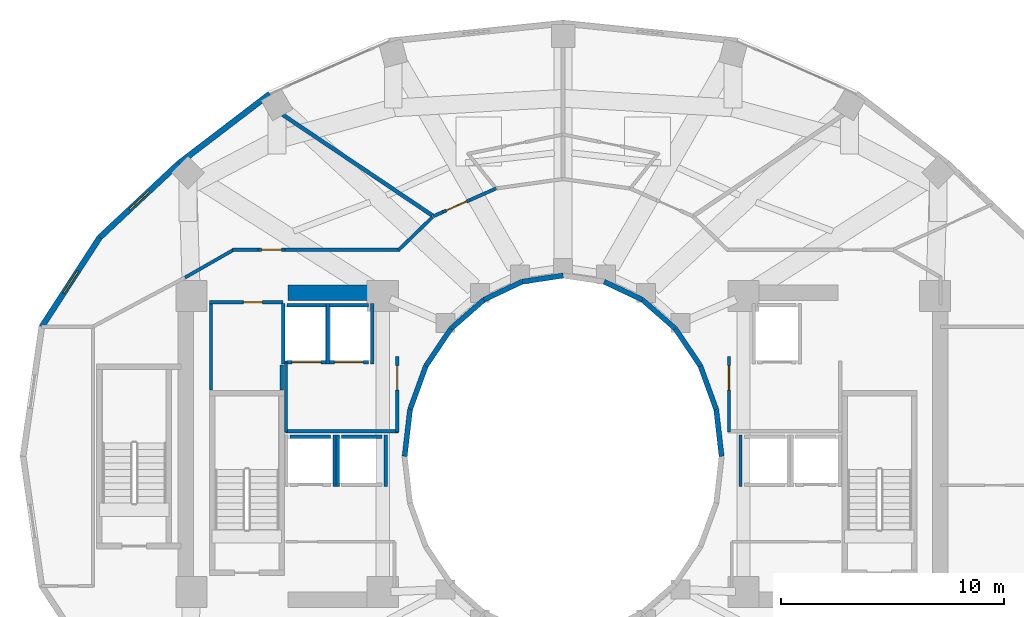
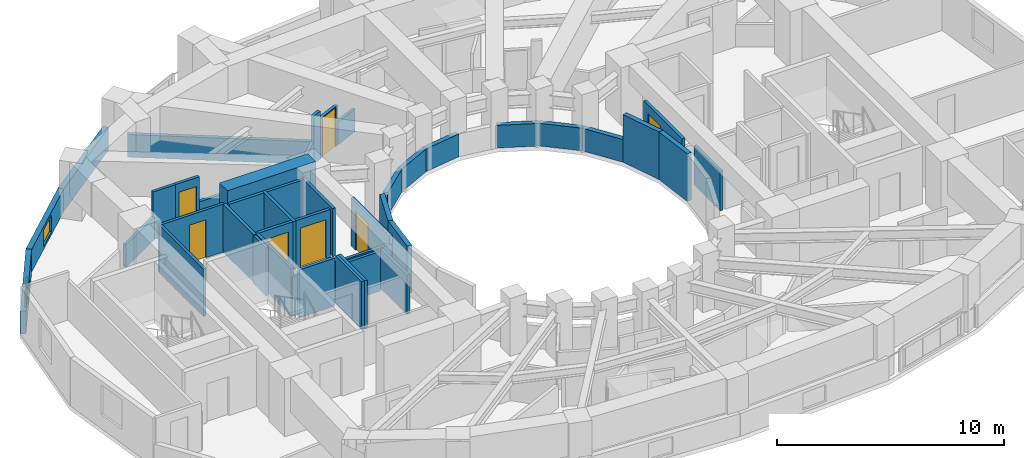
# One storey, part 10 of 16: 44 walls, 7 doors, 2 windows, 9 openings.
"""IFC4 building model written with IfcOpenShell, lengths in metres."""

import ifcopenshell
import ifcopenshell.guid

model = None  # the IFC model being written
_history = None  # IfcOwnerHistory: only IFC2X3 demands one
_inside = {}  # id of a spatial element -> (the spatial element, [elements in it])
_under = {}  # id of a project, library or spatial element -> (it, [spatial elements below it])
_declared = {}  # id of a project -> (the project, [libraries it declares])
_typed = {}  # id of a type object -> (the type object, [elements of that type])
_made_of = {}  # id of a material, layer set ... -> (it, [elements and type objects made of it])


def new_model(schema):
    """Start an empty IFC model of exactly this schema.

    Asked for "IFC4X3", IfcOpenShell would pick the latest addendum, in which some entities
    have other attributes; the version numbers below select the first issue.
    IFC2X3 requires an IfcOwnerHistory on every rooted entity: one is made here for all.
    """
    global model, _history
    if schema == "IFC4X3":
        model = ifcopenshell.file(schema_version=(4, 3, 0, 0))
    else:
        model = ifcopenshell.file(schema=schema)
    _inside.clear()
    _under.clear()
    _declared.clear()
    _typed.clear()
    _made_of.clear()
    _history = None
    if model.schema == "IFC2X3":
        org = make("IfcOrganization", Name="unknown")
        user = make(
            "IfcPersonAndOrganization",
            ThePerson=make("IfcPerson", FamilyName="unknown"),
            TheOrganization=org,
        )
        app = make(
            "IfcApplication",
            ApplicationDeveloper=org,
            Version="unknown",
            ApplicationFullName="unknown",
            ApplicationIdentifier="unknown",
        )
        _history = make(
            "IfcOwnerHistory",
            OwningUser=user,
            OwningApplication=app,
            ChangeAction="ADDED",
            CreationDate=0,
        )
    return model


def make(cls, **values):
    """One entity of the class cls with the attributes given. An attribute that is None is left unset."""
    return model.create_entity(
        cls, **{name: value for name, value in values.items() if value is not None}
    )


def rooted(cls, **values):
    """An entity with a GlobalId (a new one), such as an element, a storey or a relation."""
    return make(cls, GlobalId=ifcopenshell.guid.new(), OwnerHistory=_history, **values)


def si_unit(unit_type, name, prefix=None):
    """IfcSIUnit, for example si_unit("LENGTHUNIT", "METRE", prefix="MILLI")."""
    return make("IfcSIUnit", UnitType=unit_type, Prefix=prefix, Name=name)


def assignment(units):
    """IfcUnitAssignment: the units of a project."""
    return None if units is None else make("IfcUnitAssignment", Units=units)


def point(xyz):
    """IfcCartesianPoint."""
    return None if xyz is None else make("IfcCartesianPoint", Coordinates=xyz)


def direction(xyz):
    """IfcDirection."""
    return None if xyz is None else make("IfcDirection", DirectionRatios=xyz)


def frame(location, z_axis=None, x_axis=None):
    """IfcAxis2Placement3D, a coordinate frame: its origin and axes. An axis left out is left unset."""
    return make(
        "IfcAxis2Placement3D",
        Location=point(location),
        Axis=direction(z_axis),
        RefDirection=direction(x_axis),
    )


def frame_2d(location, x_axis=None):
    """IfcAxis2Placement2D, a coordinate frame in the plane: its origin and x axis."""
    return make(
        "IfcAxis2Placement2D", Location=point(location), RefDirection=direction(x_axis)
    )


def origin():
    """The frame at (0, 0, 0) with its axes left unset."""
    return frame((0.0, 0.0, 0.0))


def place(relative_to, where):
    """IfcLocalPlacement: puts the frame where relative to a parent placement (None: the world)."""
    return make(
        "IfcLocalPlacement", PlacementRelTo=relative_to, RelativePlacement=where
    )


def context(
    kind, dimensions, precision=None, world=None, true_north=None, identifier=None
):
    """IfcGeometricRepresentationContext, for example the 3D "Model" context."""
    return make(
        "IfcGeometricRepresentationContext",
        ContextIdentifier=identifier,
        ContextType=kind,
        CoordinateSpaceDimension=dimensions,
        Precision=precision,
        WorldCoordinateSystem=world,
        TrueNorth=true_north,
    )


def subcontext(parent, identifier, kind, view, scale=None):
    """IfcGeometricRepresentationSubContext, for example "Body" below "Model"."""
    return make(
        "IfcGeometricRepresentationSubContext",
        ContextIdentifier=identifier,
        ContextType=kind,
        ParentContext=parent,
        TargetScale=scale,
        TargetView=view,
    )


def project(units=None, contexts=None):
    """IfcProject with its units and contexts."""
    return rooted(
        "IfcProject",
        Name="project",
        RepresentationContexts=contexts,
        UnitsInContext=assignment(units),
    )


def spatial(cls, under=None, at=None, **own):
    """A site, building, storey or space (cls), placed at a placement, below another one or the project."""
    s = rooted(cls, ObjectPlacement=at, **own)
    if under is not None:
        _under.setdefault(under.id(), (under, []))[1].append(s)
    return s


def profile(cls, at=None, kind="AREA", **sizes):
    """A parametric profile (cls). Its sizes go by their IFC names, for example OverallWidth=200.0."""
    return make(cls, ProfileType=kind, Position=at, **sizes)


def rectangle(**sizes):
    """IfcRectangleProfileDef."""
    return profile("IfcRectangleProfileDef", **sizes)


def extrude(swept, where, along, depth):
    """IfcExtrudedAreaSolid: the profile swept, set in the frame where, extruded along a direction by depth."""
    return make(
        "IfcExtrudedAreaSolid",
        SweptArea=swept,
        Position=where,
        ExtrudedDirection=direction(along),
        Depth=depth,
    )


def shape(context_of_items, identifier, shape_type, items):
    """IfcShapeRepresentation: the items that make up one representation, for example the "Body"."""
    return make(
        "IfcShapeRepresentation",
        ContextOfItems=context_of_items,
        RepresentationIdentifier=identifier,
        RepresentationType=shape_type,
        Items=items,
    )


def material(Name=None, Category=None):
    """IfcMaterial."""
    return make("IfcMaterial", Name=Name, Category=Category)


def layer(
    of_material, thickness, ventilated=None, Name=None, Category=None, Priority=None
):
    """IfcMaterialLayer: one layer of a wall or slab, of a material (None: an air gap)."""
    return make(
        "IfcMaterialLayer",
        Material=of_material,
        LayerThickness=thickness,
        IsVentilated=ventilated,
        Name=Name,
        Category=Category,
        Priority=Priority,
    )


def layer_set(layers, Name=None):
    """IfcMaterialLayerSet."""
    return make("IfcMaterialLayerSet", MaterialLayers=layers, LayerSetName=Name)


def made_of(thing, what):
    """Note that an element or type object is made of a material, layer set ...; save() writes the relation."""
    if what is not None:
        _made_of.setdefault(what.id(), (what, []))[1].append(thing)
    return thing


def type_object(cls, material=None, **own):
    """A type object (cls), such as IfcWallType, which elements share."""
    return made_of(rooted(cls, **own), material)


def element(
    cls,
    number,
    at=None,
    inside=None,
    cuts=None,
    type_object=None,
    material=None,
    context=None,
    identifier="Body",
    shape_type=None,
    held_by="IfcProductDefinitionShape",
    body=None,
    shapes=None,
    **own,
):
    """One element of the class cls, such as IfcWall. Its Tag is "e" and its number.

    at: its placement. inside: the storey or other place that contains it. cuts: it is an
    opening in that element (IfcRelVoidsElement). A single representation is given by context,
    identifier, shape_type and body (its items); several are given by shapes. held_by: the class
    of the entity that holds the representations. save() writes the other relations.
    """
    e = rooted(cls, Tag="e%d" % number, ObjectPlacement=at, **own)
    if body is not None:
        shapes = [shape(context, identifier, shape_type, body)]
    if shapes is not None:
        e.Representation = make(held_by, Representations=shapes)
    if inside is not None:
        _inside.setdefault(inside.id(), (inside, []))[1].append(e)
    if cuts is not None:
        rooted(
            "IfcRelVoidsElement", RelatingBuildingElement=cuts, RelatedOpeningElement=e
        )
    if type_object is not None:
        _typed.setdefault(type_object.id(), (type_object, []))[1].append(e)
    return made_of(e, material)


def fill(opening, filler):
    """IfcRelFillsElement: the door or window that sits in an opening."""
    return rooted(
        "IfcRelFillsElement",
        RelatingOpeningElement=opening,
        RelatedBuildingElement=filler,
    )


def aggregate(whole, parts):
    """IfcRelAggregates: a whole, such as a stair, and the parts it consists of."""
    return rooted("IfcRelAggregates", RelatingObject=whole, RelatedObjects=parts)


def save(model, path):
    """Write the relations noted so far, then the file.

    IfcRelAggregates (storeys below a building ...), IfcRelContainedInSpatialStructure (elements
    in a storey), IfcRelDefinesByType, IfcRelAssociatesMaterial and IfcRelDeclares: one each for
    every whole, place, type object, material and project.
    """
    for whole, parts in _under.values():
        aggregate(whole, parts)
    for where, things in _inside.values():
        rooted(
            "IfcRelContainedInSpatialStructure",
            RelatedElements=things,
            RelatingStructure=where,
        )
    for kind, things in _typed.values():
        rooted("IfcRelDefinesByType", RelatedObjects=things, RelatingType=kind)
    for what, things in _made_of.values():
        rooted("IfcRelAssociatesMaterial", RelatedObjects=things, RelatingMaterial=what)
    for by, libraries in _declared.values():
        rooted("IfcRelDeclares", RelatingContext=by, RelatedDefinitions=libraries)
    model.write(path)


model = new_model("IFC4")

# Units and contexts
model_context = context("Model", 3, precision=1e-05, world=origin(), true_north=direction((0.0, 1.0)))
body_context = subcontext(model_context, "Body", "Model", "MODEL_VIEW")
ifc_project = project(units=[si_unit("LENGTHUNIT", "METRE"), si_unit("AREAUNIT", "SQUARE_METRE"), si_unit("VOLUMEUNIT", "CUBIC_METRE"), si_unit("PLANEANGLEUNIT", "RADIAN"), si_unit("MASSUNIT", "GRAM", prefix="KILO")], contexts=[model_context])

# Site, building, storey
site_placement = place(None, origin())
site = spatial("IfcSite", under=ifc_project, at=site_placement, CompositionType="ELEMENT")
building_placement = place(site_placement, origin())
building = spatial("IfcBuilding", under=site, at=building_placement, Name="Solvane Sanctuary Tower", CompositionType="ELEMENT")
storey_placement = place(building_placement, frame((0.0, 0.0, 119.699951171875)))
storey = spatial("IfcBuildingStorey", under=building, at=storey_placement, Name="L36", CompositionType="ELEMENT", Elevation=119.699951171875)

# Walls
ifc_material_1 = material(Name="Concrete C60/75", Category="concrete")
ifc_layer_1 = layer(ifc_material_1, 0.699951171875, Name="Concrete C60/75")
ifc_layer_set_1 = layer_set([ifc_layer_1], Name="Concrete C60/75")
wall_type_1 = type_object("IfcWallType", Name="Wall W-CORE-700", PredefinedType="SHEAR", material=ifc_layer_set_1)
wall_1_placement = place(storey_placement, frame((19.64990234375, 30.35009765625, 0.0), z_axis=(0.0, 0.0, 1.0), x_axis=(1.0, 0.0, 0.0)))
element("IfcWall", 1, at=wall_1_placement, inside=storey, type_object=wall_type_1, Name="L36 Core Shear Wall WC-N", PredefinedType="SHEAR", context=body_context, shape_type="SweptSolid", body=[
    extrude(rectangle(XDim=4.5, YDim=0.699951171875, at=frame_2d((2.25, 0.0))), origin(), (0.0, 0.0, 1.0), 3.10009765625),
])
ifc_material_2 = material(Name="Acoustic Gypsum Partition Board")
ifc_layer_2 = layer(ifc_material_2, 0.14990234375, Name="Acoustic Gypsum Partition Board")
ifc_layer_set_2 = layer_set([ifc_layer_2], Name="Acoustic Gypsum Partition Board")
wall_type_2 = type_object("IfcWallType", Name="Wall W-CORR-150", PredefinedType="PARTITIONING", material=ifc_layer_set_2)
wall_2_placement = place(storey_placement, frame((19.52001953125, 24.1201171875, 0.0), z_axis=(0.0, 0.0, 1.0), x_axis=(1.0, 0.0, 0.0)))
element("IfcWall", 2, at=wall_2_placement, inside=storey, type_object=wall_type_2, Name="L36 West Firefighting Lobby South Wall", PredefinedType="PARTITIONING", context=body_context, shape_type="SweptSolid", body=[
    extrude(rectangle(XDim=5.080078125, YDim=0.14990234375, at=frame_2d((2.5400390625, 0.0))), origin(), (0.0, 0.0, 1.0), 2.1201171875),
])
wall_3_placement = place(storey_placement, frame((19.550048828125, 24.080078125, 0.0), z_axis=(0.0, 0.0, 1.0), x_axis=(0.0, 1.0, 0.0)))
element("IfcWall", 3, at=wall_3_placement, inside=storey, type_object=wall_type_2, Name="L36 West Firefighting Lobby West Wall", PredefinedType="PARTITIONING", context=body_context, shape_type="SweptSolid", body=[
    extrude(rectangle(XDim=3.199951171875, YDim=0.14990234375, at=frame_2d((1.60009765625, 0.0))), origin(), (0.0, 0.0, 1.0), 2.574951171875),
])

# Wall, opening, door
wall_4_placement = place(storey_placement, frame((24.550048828125, 24.080078125, 0.0), z_axis=(0.0, 0.0, 1.0), x_axis=(0.0, 1.0, 0.0)))
wall_4 = element("IfcWall", 4, at=wall_4_placement, inside=storey, type_object=wall_type_2, Name="L36 West Firefighting Lobby East Wall", PredefinedType="PARTITIONING", context=body_context, shape_type="SweptSolid", body=[
    extrude(rectangle(XDim=3.39990234375, YDim=0.14990234375, at=frame_2d((1.699951171875, 0.0))), origin(), (0.0, 0.0, 1.0), 2.574951171875),
])
opening_1_placement = place(wall_4_placement, frame((1.893798828125, 0.0, 0.0)))
opening_1 = element("IfcOpeningElement", 5, at=opening_1_placement, cuts=wall_4, Name="Opening D-L36-04", PredefinedType="OPENING", context=body_context, shape_type="SweptSolid", body=[
    extrude(rectangle(XDim=1.10009765625, YDim=2.10009765625, at=frame_2d((0.550048828125, 1.050048828125))), frame((0.0, 0.0849609375, 0.0), z_axis=(0.0, -1.0, 0.0), x_axis=(1.0, 0.0, 0.0)), (0.0, 0.0, 1.0), 0.169921875),
])
ifc_material_3 = material(Name="Architectural Stainless Steel 316", Category="steel")
door_type_1 = type_object("IfcDoorType", Name="Door D-FFL", OperationType="NOTDEFINED", PredefinedType="DOOR", material=ifc_material_3)
door_1_placement = place(opening_1_placement, origin())
door_1 = element("IfcDoor", 6, at=door_1_placement, inside=storey, type_object=door_type_1, Name="L36 West Firefighting Lobby Fire Door", OperationType="SINGLE_SWING_RIGHT", OverallHeight=2.10009765625, OverallWidth=1.10009765625, PredefinedType="DOOR", context=body_context, shape_type="SweptSolid", body=[
    extrude(rectangle(XDim=1.10009765625, YDim=2.10009765625, at=frame_2d((0.550048828125, 1.050048828125))), frame((0.0, 0.02490234375, 0.0), z_axis=(0.0, -1.0, 0.0), x_axis=(1.0, 0.0, 0.0)), (0.0, 0.0, 1.0), 0.050048828125),
])
fill(opening_1, door_1)

wall_5_placement = place(storey_placement, frame((39.449951171875, 24.080078125, 0.0), z_axis=(0.0, 0.0, 1.0), x_axis=(0.0, 1.0, 0.0)))
wall_5 = element("IfcWall", 7, at=wall_5_placement, inside=storey, type_object=wall_type_2, Name="L36 East Firefighting Lobby West Wall", PredefinedType="PARTITIONING", context=body_context, shape_type="SweptSolid", body=[
    extrude(rectangle(XDim=3.39990234375, YDim=0.14990234375, at=frame_2d((1.699951171875, 0.0))), origin(), (0.0, 0.0, 1.0), 2.574951171875),
])
opening_2_placement = place(wall_5_placement, frame((1.893798828125, 0.0, 0.0)))
opening_2 = element("IfcOpeningElement", 8, at=opening_2_placement, cuts=wall_5, Name="Opening D-L36-05", PredefinedType="OPENING", context=body_context, shape_type="SweptSolid", body=[
    extrude(rectangle(XDim=1.10009765625, YDim=2.10009765625, at=frame_2d((0.550048828125, 1.050048828125))), frame((0.0, 0.0849609375, 0.0), z_axis=(0.0, -1.0, 0.0), x_axis=(1.0, 0.0, 0.0)), (0.0, 0.0, 1.0), 0.169921875),
])
door_2_placement = place(opening_2_placement, origin())
door_2 = element("IfcDoor", 9, at=door_2_placement, inside=storey, type_object=door_type_1, Name="L36 East Firefighting Lobby Fire Door", OperationType="SINGLE_SWING_LEFT", OverallHeight=2.10009765625, OverallWidth=1.10009765625, PredefinedType="DOOR", context=body_context, shape_type="SweptSolid", body=[
    extrude(rectangle(XDim=1.10009765625, YDim=2.10009765625, at=frame_2d((0.550048828125, 1.050048828125))), frame((0.0, 0.02490234375, 0.0), z_axis=(0.0, -1.0, 0.0), x_axis=(1.0, 0.0, 0.0)), (0.0, 0.0, 1.0), 0.050048828125),
])
fill(opening_2, door_2)

# Walls
wall_6_placement = place(storey_placement, frame((26.132568359375, 33.748779296875, 0.0), z_axis=(0.0, 0.0, 1.0), x_axis=(-0.717419568599, -0.696641344302, 0.0)))
element("IfcWall", 10, at=wall_6_placement, inside=storey, type_object=wall_type_2, Name="L36 NW Corner Throat Wall", PredefinedType="PARTITIONING", context=body_context, shape_type="SweptSolid", body=[
    extrude(rectangle(XDim=2.138427734375, YDim=0.14990234375, at=frame_2d((1.0693359375, 0.0))), origin(), (0.0, 0.0, 1.0), 1.219970703125),
])
wall_7_placement = place(storey_placement, frame((17.14990234375, 32.280029296875, 0.0), z_axis=(0.0, 0.0, 1.0), x_axis=(1.0, 0.0, 0.0)))
element("IfcWall", 11, at=wall_7_placement, inside=storey, type_object=wall_type_2, Name="L36 NW Corner Corridor Wall", PredefinedType="PARTITIONING", context=body_context, shape_type="SweptSolid", body=[
    extrude(rectangle(XDim=1.14013671875, YDim=0.14990234375, at=frame_2d((0.570068359375, 0.0))), origin(), (0.0, 0.0, 1.0), 2.574951171875),
])

# Wall, opening, door
wall_8_placement = place(storey_placement, frame((18.2900390625, 32.280029296875, 0.0), z_axis=(0.0, 0.0, 1.0), x_axis=(1.0, 0.0, 0.0)))
wall_8 = element("IfcWall", 12, at=wall_8_placement, inside=storey, type_object=wall_type_2, Name="L36 NW Corner Corridor Wall", PredefinedType="PARTITIONING", context=body_context, shape_type="SweptSolid", body=[
    extrude(rectangle(XDim=1.219970703125, YDim=0.14990234375, at=frame_2d((0.60986328125, 0.0))), origin(), (0.0, 0.0, 1.0), 2.574951171875),
])
opening_3_placement = place(wall_8_placement, frame((0.159912109375, 0.0, 0.0)))
opening_3 = element("IfcOpeningElement", 13, at=opening_3_placement, cuts=wall_8, Name="Opening D-L36-14", PredefinedType="OPENING", context=body_context, shape_type="SweptSolid", body=[
    extrude(rectangle(XDim=0.89990234375, YDim=2.10009765625, at=frame_2d((0.449951171875, 1.050048828125))), frame((0.0, 0.0849609375, 0.0), z_axis=(0.0, -1.0, 0.0), x_axis=(1.0, 0.0, 0.0)), (0.0, 0.0, 1.0), 0.169921875),
])
ifc_material_4 = material(Name="Engineered Tropical Hardwood", Category="wood")
door_type_2 = type_object("IfcDoorType", Name="Door D-WET-900", OperationType="NOTDEFINED", PredefinedType="DOOR", material=ifc_material_4)
door_3_placement = place(opening_3_placement, origin())
door_3 = element("IfcDoor", 14, at=door_3_placement, inside=storey, type_object=door_type_2, Name="L36 NW Corner Salon Door", OperationType="SINGLE_SWING_RIGHT", OverallHeight=2.10009765625, OverallWidth=0.89990234375, PredefinedType="DOOR", context=body_context, shape_type="SweptSolid", body=[
    extrude(rectangle(XDim=0.89990234375, YDim=2.10009765625, at=frame_2d((0.449951171875, 1.050048828125))), frame((0.0, 0.02490234375, 0.0), z_axis=(0.0, -1.0, 0.0), x_axis=(1.0, 0.0, 0.0)), (0.0, 0.0, 1.0), 0.050048828125),
])
fill(opening_3, door_3)

# Walls
wall_9_placement = place(storey_placement, frame((19.510009765625, 32.280029296875, 0.0), z_axis=(0.0, 0.0, 1.0), x_axis=(1.0, 0.0, 0.0)))
element("IfcWall", 15, at=wall_9_placement, inside=storey, type_object=wall_type_2, Name="L36 NW Corner Corridor Wall", PredefinedType="PARTITIONING", context=body_context, shape_type="SweptSolid", body=[
    extrude(rectangle(XDim=5.159912109375, YDim=0.14990234375, at=frame_2d((2.580078125, 0.0))), origin(), (0.0, 0.0, 1.0), 1.219970703125),
])
wall_10_placement = place(storey_placement, frame((17.243408203125, 32.3046875, 0.0), z_axis=(0.0, 0.0, 1.0), x_axis=(-0.867991349648, -0.496579315857, 0.0)))
element("IfcWall", 16, at=wall_10_placement, inside=storey, type_object=wall_type_2, Name="L36 NW Corner Wing Wall", PredefinedType="PARTITIONING", context=body_context, shape_type="SweptSolid", body=[
    extrude(rectangle(XDim=2.56689453125, YDim=0.14990234375, at=frame_2d((1.283447265625, 0.0))), origin(), (0.0, 0.0, 1.0), 1.219970703125),
])
wall_11_placement = place(storey_placement, frame((28.9912109375, 35.03369140625, 0.0), z_axis=(0.0, 0.0, 1.0), x_axis=(-0.914512451665, -0.404557753292, 0.0)))
element("IfcWall", 17, at=wall_11_placement, inside=storey, type_object=wall_type_2, Name="L36 Unit Corridor Wall N2", PredefinedType="PARTITIONING", context=body_context, shape_type="SweptSolid", body=[
    extrude(rectangle(XDim=1.290283203125, YDim=0.14990234375, at=frame_2d((0.64501953125, 0.0))), origin(), (0.0, 0.0, 1.0), 1.219970703125),
])

# Wall, opening, door
wall_12_placement = place(storey_placement, frame((27.811279296875, 34.51171875, 0.0), z_axis=(0.0, 0.0, 1.0), x_axis=(-0.914352324799, -0.404919530444, 0.0)))
wall_12 = element("IfcWall", 18, at=wall_12_placement, inside=storey, type_object=wall_type_2, Name="L36 Unit Corridor Wall N2", PredefinedType="PARTITIONING", context=body_context, shape_type="SweptSolid", body=[
    extrude(rectangle(XDim=1.31982421875, YDim=0.14990234375, at=frame_2d((0.659912109375, 0.0))), origin(), (0.0, 0.0, 1.0), 2.16015625),
])
opening_4_placement = place(wall_12_placement, frame((0.159912109375, 0.0, 0.0)))
opening_4 = element("IfcOpeningElement", 19, at=opening_4_placement, cuts=wall_12, Name="Opening D-L36-23", PredefinedType="OPENING", context=body_context, shape_type="SweptSolid", body=[
    extrude(rectangle(XDim=1.0, YDim=2.10009765625, at=frame_2d((0.5, 1.050048828125))), frame((0.0, 0.0849609375, 0.0), z_axis=(0.0, -1.0, 0.0), x_axis=(1.0, 0.0, 0.0)), (0.0, 0.0, 1.0), 0.169921875),
])
door_type_3 = type_object("IfcDoorType", Name="Door D-UNIT", OperationType="NOTDEFINED", PredefinedType="DOOR", material=ifc_material_4)
door_4_placement = place(opening_4_placement, origin())
door_4 = element("IfcDoor", 20, at=door_4_placement, inside=storey, type_object=door_type_3, Name="L36 Unit Entrance Door N2", OperationType="SINGLE_SWING_LEFT", OverallHeight=2.10009765625, OverallWidth=1.0, PredefinedType="DOOR", context=body_context, shape_type="SweptSolid", body=[
    extrude(rectangle(XDim=1.0, YDim=2.10009765625, at=frame_2d((0.5, 1.050048828125))), frame((0.0, 0.02490234375, 0.0), z_axis=(0.0, -1.0, 0.0), x_axis=(1.0, 0.0, 0.0)), (0.0, 0.0, 1.0), 0.050048828125),
])
fill(opening_4, door_4)

# Walls
wall_13_placement = place(storey_placement, frame((26.6044921875, 33.977294921875, 0.0), z_axis=(0.0, 0.0, 1.0), x_axis=(-0.914564252461, -0.404440636088, 0.0)))
element("IfcWall", 21, at=wall_13_placement, inside=storey, type_object=wall_type_2, Name="L36 Unit Corridor Wall N2", PredefinedType="PARTITIONING", context=body_context, shape_type="SweptSolid", body=[
    extrude(rectangle(XDim=0.48046875, YDim=0.14990234375, at=frame_2d((0.240234375, 0.0))), origin(), (0.0, 0.0, 1.0), 2.574951171875),
])
ifc_material_5 = material(Name="Precast concrete C40/50", Category="concrete")
ifc_layer_3 = layer(ifc_material_5, 0.260009765625, Name="Precast concrete C40/50")
ifc_layer_set_3 = layer_set([ifc_layer_3], Name="Precast concrete C40/50")
wall_type_3 = type_object("IfcWallType", Name="Wall W-EXT-250", PredefinedType="STANDARD", material=ifc_layer_set_3)
wall_14_placement = place(storey_placement, frame((18.82666015625, 39.278076171875, 0.0), z_axis=(0.0, 0.0, 1.0), x_axis=(-0.794809810864, -0.606858603427, 0.0)))
element("IfcWall", 22, at=wall_14_placement, inside=storey, type_object=wall_type_3, Name="L36 Ceramic-Printed Facade Wall 08", PredefinedType="STANDARD", context=body_context, shape_type="SweptSolid", body=[
    extrude(rectangle(XDim=5.149169921875, YDim=0.260009765625, at=frame_2d((2.57470703125, 0.0))), origin(), (0.0, 0.0, 1.0), 1.219970703125),
])

# Wall, opening, window
wall_15_placement = place(storey_placement, frame((14.734130859375, 36.1533203125, 0.0), z_axis=(0.0, 0.0, 1.0), x_axis=(-0.730162452258, -0.68327358599, 0.0)))
wall_15 = element("IfcWall", 23, at=wall_15_placement, inside=storey, type_object=wall_type_3, Name="L36 Ceramic-Printed Facade Wall 09", PredefinedType="STANDARD", context=body_context, shape_type="SweptSolid", body=[
    extrude(rectangle(XDim=4.868408203125, YDim=0.260009765625, at=frame_2d((2.43408203125, 0.0))), origin(), (0.0, 0.0, 1.0), 1.219970703125),
])
opening_5_placement = place(wall_15_placement, frame((1.834228515625, 0.0, 0.14990234375)))
opening_5 = element("IfcOpeningElement", 24, at=opening_5_placement, cuts=wall_15, Name="Opening WN-OPER-1200", PredefinedType="OPENING", context=body_context, shape_type="SweptSolid", body=[
    extrude(rectangle(XDim=1.199951171875, YDim=0.89990234375, at=frame_2d((0.60009765625, 0.449951171875))), frame((0.0, 0.139892578125, 0.0), z_axis=(0.0, -1.0, 0.0), x_axis=(1.0, 0.0, 0.0)), (0.0, 0.0, 1.0), 0.280029296875),
])
ifc_material_6 = material(Name="Dark Ceramic-Fritted Low-E Glass", Category="glass")
window_type = type_object("IfcWindowType", Name="Window WN-OPER-1200", PartitioningType="SINGLE_PANEL", PredefinedType="WINDOW", material=ifc_material_6)
window_1_placement = place(opening_5_placement, origin())
window_1 = element("IfcWindow", 25, at=window_1_placement, inside=storey, type_object=window_type, Name="L36 Operable Facade Window 09", OverallHeight=0.89990234375, OverallWidth=1.199951171875, PartitioningType="SINGLE_PANEL", PredefinedType="WINDOW", context=body_context, shape_type="SweptSolid", body=[
    extrude(rectangle(XDim=1.199951171875, YDim=0.89990234375, at=frame_2d((0.60009765625, 0.449951171875))), frame((0.0, 0.030029296875, 0.0), z_axis=(0.0, -1.0, 0.0), x_axis=(1.0, 0.0, 0.0)), (0.0, 0.0, 1.0), 0.06005859375),
])
fill(opening_5, window_1)

wall_16_placement = place(storey_placement, frame((11.179443359375, 32.826904296875, 0.0), z_axis=(0.0, 0.0, 1.0), x_axis=(-0.544388392991, -0.838833283541, 0.0)))
wall_16 = element("IfcWall", 26, at=wall_16_placement, inside=storey, type_object=wall_type_3, Name="L36 Ceramic-Printed Facade Wall 10", PredefinedType="STANDARD", context=body_context, shape_type="SweptSolid", body=[
    extrude(rectangle(XDim=4.7783203125, YDim=0.260009765625, at=frame_2d((2.38916015625, 0.0))), origin(), (0.0, 0.0, 1.0), 1.219970703125),
])
opening_6_placement = place(wall_16_placement, frame((1.7890625, 0.0, 0.14990234375)))
opening_6 = element("IfcOpeningElement", 27, at=opening_6_placement, cuts=wall_16, Name="Opening WN-OPER-1200", PredefinedType="OPENING", context=body_context, shape_type="SweptSolid", body=[
    extrude(rectangle(XDim=1.199951171875, YDim=0.89990234375, at=frame_2d((0.60009765625, 0.449951171875))), frame((0.0, 0.139892578125, 0.0), z_axis=(0.0, -1.0, 0.0), x_axis=(1.0, 0.0, 0.0)), (0.0, 0.0, 1.0), 0.280029296875),
])
window_2_placement = place(opening_6_placement, origin())
window_2 = element("IfcWindow", 28, at=window_2_placement, inside=storey, type_object=window_type, Name="L36 Operable Facade Window 10", OverallHeight=0.89990234375, OverallWidth=1.199951171875, PartitioningType="SINGLE_PANEL", PredefinedType="WINDOW", context=body_context, shape_type="SweptSolid", body=[
    extrude(rectangle(XDim=1.199951171875, YDim=0.89990234375, at=frame_2d((0.60009765625, 0.449951171875))), frame((0.0, 0.030029296875, 0.0), z_axis=(0.0, -1.0, 0.0), x_axis=(1.0, 0.0, 0.0)), (0.0, 0.0, 1.0), 0.06005859375),
])
fill(opening_6, window_2)

# Walls
ifc_layer_4 = layer(ifc_material_5, 0.22998046875, Name="Precast concrete C40/50")
ifc_layer_set_4 = layer_set([ifc_layer_4], Name="Precast concrete C40/50")
wall_type_4 = type_object("IfcWallType", Name="Wall W-EXT-SP220", PredefinedType="STANDARD", material=ifc_layer_set_4)
wall_17_placement = place(storey_placement, frame((39.1201171875, 23.0, 0.0), z_axis=(0.0, 0.0, 1.0), x_axis=(-0.114711713601, 0.993398823617, 0.0)))
element("IfcWall", 29, at=wall_17_placement, inside=storey, type_object=wall_type_4, Name="L36 Central Light-Well Wall 00", PredefinedType="STANDARD", context=body_context, shape_type="SweptSolid", body=[
    extrude(rectangle(XDim=2.115478515625, YDim=0.22998046875, at=frame_2d((1.0576171875, 0.0))), origin(), (0.0, 0.0, 1.0), 2.56005859375),
])
wall_18_placement = place(storey_placement, frame((38.87744140625, 25.1015625, 0.0), z_axis=(0.0, 0.0, 1.0), x_axis=(-0.341423187295, 0.93990968033, 0.0)))
element("IfcWall", 30, at=wall_18_placement, inside=storey, type_object=wall_type_4, Name="L36 Central Light-Well Wall 01", PredefinedType="STANDARD", context=body_context, shape_type="SweptSolid", body=[
    extrude(rectangle(XDim=2.083740234375, YDim=0.22998046875, at=frame_2d((1.0419921875, 0.0))), origin(), (0.0, 0.0, 1.0), 2.56005859375),
])
wall_19_placement = place(storey_placement, frame((38.166015625, 27.06005859375, 0.0), z_axis=(0.0, 0.0, 1.0), x_axis=(-0.558197800898, 0.829707909492, 0.0)))
element("IfcWall", 31, at=wall_19_placement, inside=storey, type_object=wall_type_4, Name="L36 Central Light-Well Wall 02", PredefinedType="STANDARD", context=body_context, shape_type="SweptSolid", body=[
    extrude(rectangle(XDim=2.02685546875, YDim=0.22998046875, at=frame_2d((1.013427734375, 0.0))), origin(), (0.0, 0.0, 1.0), 1.219970703125),
])
wall_20_placement = place(storey_placement, frame((37.03466796875, 28.74169921875, 0.0), z_axis=(0.0, 0.0, 1.0), x_axis=(-0.752576694707, 0.658504607869, 0.0)))
element("IfcWall", 32, at=wall_20_placement, inside=storey, type_object=wall_type_4, Name="L36 Central Light-Well Wall 03", PredefinedType="STANDARD", context=body_context, shape_type="SweptSolid", body=[
    extrude(rectangle(XDim=1.95947265625, YDim=0.22998046875, at=frame_2d((0.979736328125, 0.0))), origin(), (0.0, 0.0, 1.0), 1.219970703125),
])
wall_21_placement = place(storey_placement, frame((35.56005859375, 30.031982421875, 0.0), z_axis=(0.0, 0.0, 1.0), x_axis=(-0.904179699603, 0.427152280606, 0.0)))
element("IfcWall", 33, at=wall_21_placement, inside=storey, type_object=wall_type_4, Name="L36 Central Light-Well Wall 04", PredefinedType="STANDARD", context=body_context, shape_type="SweptSolid", body=[
    extrude(rectangle(XDim=1.899169921875, YDim=0.22998046875, at=frame_2d((0.94970703125, 0.0))), origin(), (0.0, 0.0, 1.0), 1.219970703125),
])
wall_22_placement = place(storey_placement, frame((32.0, 31.1201171875, 0.0), z_axis=(0.0, 0.0, 1.0), x_axis=(-0.988901730308, -0.148571086668, 0.0)))
element("IfcWall", 34, at=wall_22_placement, inside=storey, type_object=wall_type_4, Name="L36 Central Light-Well Wall 06", PredefinedType="STANDARD", context=body_context, shape_type="SweptSolid", body=[
    extrude(rectangle(XDim=1.863525390625, YDim=0.22998046875, at=frame_2d((0.931640625, 0.0))), origin(), (0.0, 0.0, 1.0), 1.219970703125),
])
wall_23_placement = place(storey_placement, frame((30.1572265625, 30.84326171875, 0.0), z_axis=(0.0, 0.0, 1.0), x_axis=(-0.904179699603, -0.427152280606, 0.0)))
element("IfcWall", 35, at=wall_23_placement, inside=storey, type_object=wall_type_4, Name="L36 Central Light-Well Wall 07", PredefinedType="STANDARD", context=body_context, shape_type="SweptSolid", body=[
    extrude(rectangle(XDim=1.899169921875, YDim=0.22998046875, at=frame_2d((0.94970703125, 0.0))), origin(), (0.0, 0.0, 1.0), 1.219970703125),
])
wall_24_placement = place(storey_placement, frame((28.43994140625, 30.031982421875, 0.0), z_axis=(0.0, 0.0, 1.0), x_axis=(-0.752576694707, -0.658504607869, 0.0)))
element("IfcWall", 36, at=wall_24_placement, inside=storey, type_object=wall_type_4, Name="L36 Central Light-Well Wall 08", PredefinedType="STANDARD", context=body_context, shape_type="SweptSolid", body=[
    extrude(rectangle(XDim=1.95947265625, YDim=0.22998046875, at=frame_2d((0.979736328125, 0.0))), origin(), (0.0, 0.0, 1.0), 1.219970703125),
])
wall_25_placement = place(storey_placement, frame((26.96533203125, 28.74169921875, 0.0), z_axis=(0.0, 0.0, 1.0), x_axis=(-0.558197800898, -0.829707909492, 0.0)))
element("IfcWall", 37, at=wall_25_placement, inside=storey, type_object=wall_type_4, Name="L36 Central Light-Well Wall 09", PredefinedType="STANDARD", context=body_context, shape_type="SweptSolid", body=[
    extrude(rectangle(XDim=2.02685546875, YDim=0.22998046875, at=frame_2d((1.013427734375, 0.0))), origin(), (0.0, 0.0, 1.0), 1.219970703125),
])
wall_26_placement = place(storey_placement, frame((25.833984375, 27.06005859375, 0.0), z_axis=(0.0, 0.0, 1.0), x_axis=(-0.341423187295, -0.93990968033, 0.0)))
element("IfcWall", 38, at=wall_26_placement, inside=storey, type_object=wall_type_4, Name="L36 Central Light-Well Wall 10", PredefinedType="STANDARD", context=body_context, shape_type="SweptSolid", body=[
    extrude(rectangle(XDim=2.083740234375, YDim=0.22998046875, at=frame_2d((1.0419921875, 0.0))), origin(), (0.0, 0.0, 1.0), 2.56005859375),
])
wall_27_placement = place(storey_placement, frame((25.12255859375, 25.1015625, 0.0), z_axis=(0.0, 0.0, 1.0), x_axis=(-0.114711713601, -0.993398823617, 0.0)))
element("IfcWall", 39, at=wall_27_placement, inside=storey, type_object=wall_type_4, Name="L36 Central Light-Well Wall 11", PredefinedType="STANDARD", context=body_context, shape_type="SweptSolid", body=[
    extrude(rectangle(XDim=2.115478515625, YDim=0.22998046875, at=frame_2d((1.0576171875, 0.0))), origin(), (0.0, 0.0, 1.0), 2.56005859375),
])
ifc_material_7 = material(Name="Concrete C50/60", Category="concrete")
ifc_layer_5 = layer(ifc_material_7, 0.14990234375, Name="Concrete C50/60")
ifc_layer_set_5 = layer_set([ifc_layer_5], Name="Concrete C50/60")
wall_type_5 = type_object("IfcWallType", Name="Wall W-SHAFT-150", PredefinedType="SOLIDWALL", material=ifc_layer_set_5)
wall_28_placement = place(storey_placement, frame((19.739990234375, 23.8798828125, 0.0), z_axis=(0.0, 0.0, 1.0), x_axis=(1.0, 0.0, 0.0)))
element("IfcWall", 40, at=wall_28_placement, inside=storey, type_object=wall_type_5, Name="L36 PM-1 Lift Shaft Wall B", PredefinedType="SOLIDWALL", context=body_context, shape_type="SweptSolid", body=[
    extrude(rectangle(XDim=1.820068359375, YDim=0.14990234375, at=frame_2d((0.91015625, 0.0))), origin(), (0.0, 0.0, 1.0), 2.574951171875),
])
wall_29_placement = place(storey_placement, frame((21.72998046875, 21.639892578125, 0.0), z_axis=(0.0, 0.0, 1.0), x_axis=(0.0, 1.0, 0.0)))
element("IfcWall", 41, at=wall_29_placement, inside=storey, type_object=wall_type_5, Name="L36 PM-1 Lift Shaft Wall S2", PredefinedType="SOLIDWALL", context=body_context, shape_type="SweptSolid", body=[
    extrude(rectangle(XDim=2.320068359375, YDim=0.14990234375, at=frame_2d((1.16015625, 0.0))), origin(), (0.0, 0.0, 1.0), 2.574951171875),
])
wall_30_placement = place(storey_placement, frame((22.0400390625, 23.8798828125, 0.0), z_axis=(0.0, 0.0, 1.0), x_axis=(1.0, 0.0, 0.0)))
element("IfcWall", 42, at=wall_30_placement, inside=storey, type_object=wall_type_5, Name="L36 PH-1 Lift Shaft Wall B", PredefinedType="SOLIDWALL", context=body_context, shape_type="SweptSolid", body=[
    extrude(rectangle(XDim=1.820068359375, YDim=0.14990234375, at=frame_2d((0.91015625, 0.0))), origin(), (0.0, 0.0, 1.0), 2.1201171875),
])
wall_31_placement = place(storey_placement, frame((21.8701171875, 21.639892578125, 0.0), z_axis=(0.0, 0.0, 1.0), x_axis=(0.0, 1.0, 0.0)))
element("IfcWall", 43, at=wall_31_placement, inside=storey, type_object=wall_type_5, Name="L36 PH-1 Lift Shaft Wall S1", PredefinedType="SOLIDWALL", context=body_context, shape_type="SweptSolid", body=[
    extrude(rectangle(XDim=2.320068359375, YDim=0.14990234375, at=frame_2d((1.16015625, 0.0))), origin(), (0.0, 0.0, 1.0), 2.574951171875),
])
for number, where, z_axis, x_axis, name in (
    (44, (24.030029296875, 21.639892578125, 0.0), (0.0, 0.0, 1.0), (0.0, 1.0, 0.0), "L36 PH-1 Lift Shaft Wall S2"),
    (45, (39.969970703125, 21.639892578125, 0.0), (0.0, 0.0, 1.0), (0.0, 1.0, 0.0), "L36 PH-2 Lift Shaft Wall S1"),
):
    element("IfcWall", number, at=place(storey_placement, frame(where, z_axis=z_axis, x_axis=x_axis)), inside=storey, type_object=wall_type_5, Name=name, PredefinedType="SOLIDWALL", context=body_context, shape_type="SweptSolid", body=[
        extrude(rectangle(XDim=2.320068359375, YDim=0.14990234375, at=frame_2d((1.16015625, 0.0))), origin(), (0.0, 0.0, 1.0), 2.1201171875),
    ])

# Wall, opening, door
wall_32_placement = place(storey_placement, frame((19.590087890625, 27.219970703125, 0.0), z_axis=(0.0, 0.0, 1.0), x_axis=(1.0, 0.0, 0.0)))
wall_32 = element("IfcWall", 46, at=wall_32_placement, inside=storey, type_object=wall_type_5, Name="L36 FFL-1 Lift Shaft Wall F", PredefinedType="SOLIDWALL", context=body_context, shape_type="SweptSolid", body=[
    extrude(rectangle(XDim=1.760009765625, YDim=0.14990234375, at=frame_2d((0.8798828125, 0.0))), origin(), (0.0, 0.0, 1.0), 2.574951171875),
])
opening_7_placement = place(wall_32_placement, frame((0.22998046875, 0.0, 0.0)))
opening_7 = element("IfcOpeningElement", 47, at=opening_7_placement, cuts=wall_32, Name="Opening LD-L36-03", PredefinedType="OPENING", context=body_context, shape_type="SweptSolid", body=[
    extrude(rectangle(XDim=1.300048828125, YDim=2.10009765625, at=frame_2d((0.64990234375, 1.050048828125))), frame((0.0, 0.0849609375, 0.0), z_axis=(0.0, -1.0, 0.0), x_axis=(1.0, 0.0, 0.0)), (0.0, 0.0, 1.0), 0.169921875),
])
door_type_4 = type_object("IfcDoorType", Name="Door LD-FFL-1300", OperationType="NOTDEFINED", PredefinedType="DOOR", material=ifc_material_3)
door_5_placement = place(opening_7_placement, origin())
door_5 = element("IfcDoor", 48, at=door_5_placement, inside=storey, type_object=door_type_4, Name="L36 FFL-1 Lift Landing Door", OperationType="DOUBLE_DOOR_SLIDING", OverallHeight=2.10009765625, OverallWidth=1.300048828125, PredefinedType="DOOR", context=body_context, shape_type="SweptSolid", body=[
    extrude(rectangle(XDim=1.300048828125, YDim=2.10009765625, at=frame_2d((0.64990234375, 1.050048828125))), frame((0.0, 0.02490234375, 0.0), z_axis=(0.0, -1.0, 0.0), x_axis=(1.0, 0.0, 0.0)), (0.0, 0.0, 1.0), 0.050048828125),
])
fill(opening_7, door_5)

# Walls
wall_33_placement = place(storey_placement, frame((19.590087890625, 29.780029296875, 0.0), z_axis=(0.0, 0.0, 1.0), x_axis=(1.0, 0.0, 0.0)))
element("IfcWall", 49, at=wall_33_placement, inside=storey, type_object=wall_type_5, Name="L36 FFL-1 Lift Shaft Wall B", PredefinedType="SOLIDWALL", context=body_context, shape_type="SweptSolid", body=[
    extrude(rectangle(XDim=1.760009765625, YDim=0.14990234375, at=frame_2d((0.8798828125, 0.0))), origin(), (0.0, 0.0, 1.0), 2.574951171875),
])
for number, where, z_axis, x_axis, name in (
    (50, (19.419921875, 27.139892578125, 0.0), (0.0, 0.0, 1.0), (0.0, 1.0, 0.0), "L36 FFL-1 Lift Shaft Wall S1"),
    (51, (21.425048828125, 27.139892578125, 0.0), (0.0, 0.0, 1.0), (0.0, 1.0, 0.0), "L36 FFL-1 Lift Shaft Wall S2"),
):
    element("IfcWall", number, at=place(storey_placement, frame(where, z_axis=z_axis, x_axis=x_axis)), inside=storey, type_object=wall_type_5, Name=name, PredefinedType="SOLIDWALL", context=body_context, shape_type="SweptSolid", body=[
        extrude(rectangle(XDim=2.72021484375, YDim=0.14990234375, at=frame_2d((1.360107421875, 0.0))), origin(), (0.0, 0.0, 1.0), 2.574951171875),
    ])

# Wall, opening, door
wall_34_placement = place(storey_placement, frame((21.5, 27.219970703125, 0.0), z_axis=(0.0, 0.0, 1.0), x_axis=(1.0, 0.0, 0.0)))
wall_34 = element("IfcWall", 52, at=wall_34_placement, inside=storey, type_object=wall_type_5, Name="L36 SVL-1 Lift Shaft Wall F", PredefinedType="SOLIDWALL", context=body_context, shape_type="SweptSolid", body=[
    extrude(rectangle(XDim=1.760009765625, YDim=0.14990234375, at=frame_2d((0.8798828125, 0.0))), origin(), (0.0, 0.0, 1.0), 2.574951171875),
])
opening_8_placement = place(wall_34_placement, frame((0.22998046875, 0.0, 0.0)))
opening_8 = element("IfcOpeningElement", 53, at=opening_8_placement, cuts=wall_34, Name="Opening LD-L36-04", PredefinedType="OPENING", context=body_context, shape_type="SweptSolid", body=[
    extrude(rectangle(XDim=1.300048828125, YDim=2.10009765625, at=frame_2d((0.64990234375, 1.050048828125))), frame((0.0, 0.0849609375, 0.0), z_axis=(0.0, -1.0, 0.0), x_axis=(1.0, 0.0, 0.0)), (0.0, 0.0, 1.0), 0.169921875),
])
door_6_placement = place(opening_8_placement, origin())
door_6 = element("IfcDoor", 54, at=door_6_placement, inside=storey, type_object=door_type_4, Name="L36 SVL-1 Lift Landing Door", OperationType="DOUBLE_DOOR_SLIDING", OverallHeight=2.10009765625, OverallWidth=1.300048828125, PredefinedType="DOOR", context=body_context, shape_type="SweptSolid", body=[
    extrude(rectangle(XDim=1.300048828125, YDim=2.10009765625, at=frame_2d((0.64990234375, 1.050048828125))), frame((0.0, 0.02490234375, 0.0), z_axis=(0.0, -1.0, 0.0), x_axis=(1.0, 0.0, 0.0)), (0.0, 0.0, 1.0), 0.050048828125),
])
fill(opening_8, door_6)

# Walls
wall_35_placement = place(storey_placement, frame((21.5, 29.780029296875, 0.0), z_axis=(0.0, 0.0, 1.0), x_axis=(1.0, 0.0, 0.0)))
element("IfcWall", 55, at=wall_35_placement, inside=storey, type_object=wall_type_5, Name="L36 SVL-1 Lift Shaft Wall B", PredefinedType="SOLIDWALL", context=body_context, shape_type="SweptSolid", body=[
    extrude(rectangle(XDim=1.760009765625, YDim=0.14990234375, at=frame_2d((0.8798828125, 0.0))), origin(), (0.0, 0.0, 1.0), 2.574951171875),
])
wall_36_placement = place(storey_placement, frame((23.429931640625, 27.139892578125, 0.0), z_axis=(0.0, 0.0, 1.0), x_axis=(0.0, 1.0, 0.0)))
element("IfcWall", 56, at=wall_36_placement, inside=storey, type_object=wall_type_5, Name="L36 SVL-1 Lift Shaft Wall S2", PredefinedType="SOLIDWALL", context=body_context, shape_type="SweptSolid", body=[
    extrude(rectangle(XDim=2.72021484375, YDim=0.14990234375, at=frame_2d((1.360107421875, 0.0))), origin(), (0.0, 0.0, 1.0), 2.574951171875),
])
ifc_layer_6 = layer(ifc_material_2, 0.179931640625, Name="Acoustic Gypsum Partition Board")
ifc_layer_set_6 = layer_set([ifc_layer_6], Name="Acoustic Gypsum Partition Board")
wall_type_6 = type_object("IfcWallType", Name="Wall W-UNIT-180", PredefinedType="PARTITIONING", material=ifc_layer_set_6)
wall_37_placement = place(storey_placement, frame((26.12646484375, 33.81787109375, 0.0), z_axis=(0.0, 0.0, 1.0), x_axis=(-0.829603023521, 0.558353672295, 0.0)))
element("IfcWall", 57, at=wall_37_placement, inside=storey, type_object=wall_type_6, Name="L36 Radial Compartment Wall 120", PredefinedType="PARTITIONING", context=body_context, shape_type="SweptSolid", body=[
    extrude(rectangle(XDim=8.114990234375, YDim=0.179931640625, at=frame_2d((4.0576171875, 0.0))), origin(), (0.0, 0.0, 1.0), 1.219970703125),
])

# Wall, opening, door
ifc_layer_7 = layer(ifc_material_2, 0.139892578125, Name="Acoustic Gypsum Partition Board")
ifc_layer_set_7 = layer_set([ifc_layer_7], Name="Acoustic Gypsum Partition Board")
wall_type_7 = type_object("IfcWallType", Name="Wall W-WET-140", PredefinedType="PLUMBINGWALL", material=ifc_layer_set_7)
wall_38_placement = place(storey_placement, frame((16.1201171875, 29.919921875, 0.0), z_axis=(0.0, 0.0, 1.0), x_axis=(1.0, 0.0, 0.0)))
wall_38 = element("IfcWall", 58, at=wall_38_placement, inside=storey, type_object=wall_type_7, Name="L36 Core Service Front Wall KW0", PredefinedType="PLUMBINGWALL", context=body_context, shape_type="SweptSolid", body=[
    extrude(rectangle(XDim=3.2998046875, YDim=0.139892578125, at=frame_2d((1.64990234375, 0.0))), origin(), (0.0, 0.0, 1.0), 2.574951171875),
])
opening_9_placement = place(wall_38_placement, frame((1.515869140625, 0.0, 0.0)))
opening_9 = element("IfcOpeningElement", 59, at=opening_9_placement, cuts=wall_38, Name="Opening D-L36-08", PredefinedType="OPENING", context=body_context, shape_type="SweptSolid", body=[
    extrude(rectangle(XDim=0.85009765625, YDim=2.050048828125, at=frame_2d((0.425048828125, 1.02490234375))), frame((0.0, 0.079833984375, 0.0), z_axis=(0.0, -1.0, 0.0), x_axis=(1.0, 0.0, 0.0)), (0.0, 0.0, 1.0), 0.159912109375),
])
door_type_5 = type_object("IfcDoorType", Name="Door D-RISER", OperationType="NOTDEFINED", PredefinedType="DOOR", material=ifc_material_3)
door_7_placement = place(opening_9_placement, origin())
door_7 = element("IfcDoor", 60, at=door_7_placement, inside=storey, type_object=door_type_5, Name="L36 Core Service Room Door KW0-1", OperationType="SINGLE_SWING_RIGHT", OverallHeight=2.050048828125, OverallWidth=0.85009765625, PredefinedType="DOOR", context=body_context, shape_type="SweptSolid", body=[
    extrude(rectangle(XDim=0.85009765625, YDim=2.050048828125, at=frame_2d((0.425048828125, 1.02490234375))), frame((0.0, 0.02490234375, 0.0), z_axis=(0.0, -1.0, 0.0), x_axis=(1.0, 0.0, 0.0)), (0.0, 0.0, 1.0), 0.050048828125),
])
fill(opening_9, door_7)

# Walls
wall_39_placement = place(storey_placement, frame((16.179931640625, 25.97998046875, 0.0), z_axis=(0.0, 0.0, 1.0), x_axis=(0.0, 1.0, 0.0)))
element("IfcWall", 61, at=wall_39_placement, inside=storey, type_object=wall_type_7, Name="L36 Core Service Side Wall KW0-1", PredefinedType="PLUMBINGWALL", context=body_context, shape_type="SweptSolid", body=[
    extrude(rectangle(XDim=3.880126953125, YDim=0.139892578125, at=frame_2d((1.93994140625, 0.0))), origin(), (0.0, 0.0, 1.0), 2.574951171875),
])
wall_40_placement = place(storey_placement, frame((19.360107421875, 25.97998046875, 0.0), z_axis=(0.0, 0.0, 1.0), x_axis=(0.0, 1.0, 0.0)))
element("IfcWall", 62, at=wall_40_placement, inside=storey, type_object=wall_type_7, Name="L36 Core Service Side Wall KW0-2", PredefinedType="PLUMBINGWALL", context=body_context, shape_type="SweptSolid", body=[
    extrude(rectangle(XDim=1.1201171875, YDim=0.139892578125, at=frame_2d((0.56005859375, 0.0))), origin(), (0.0, 0.0, 1.0), 2.574951171875),
])

save(model, "model.ifc")
